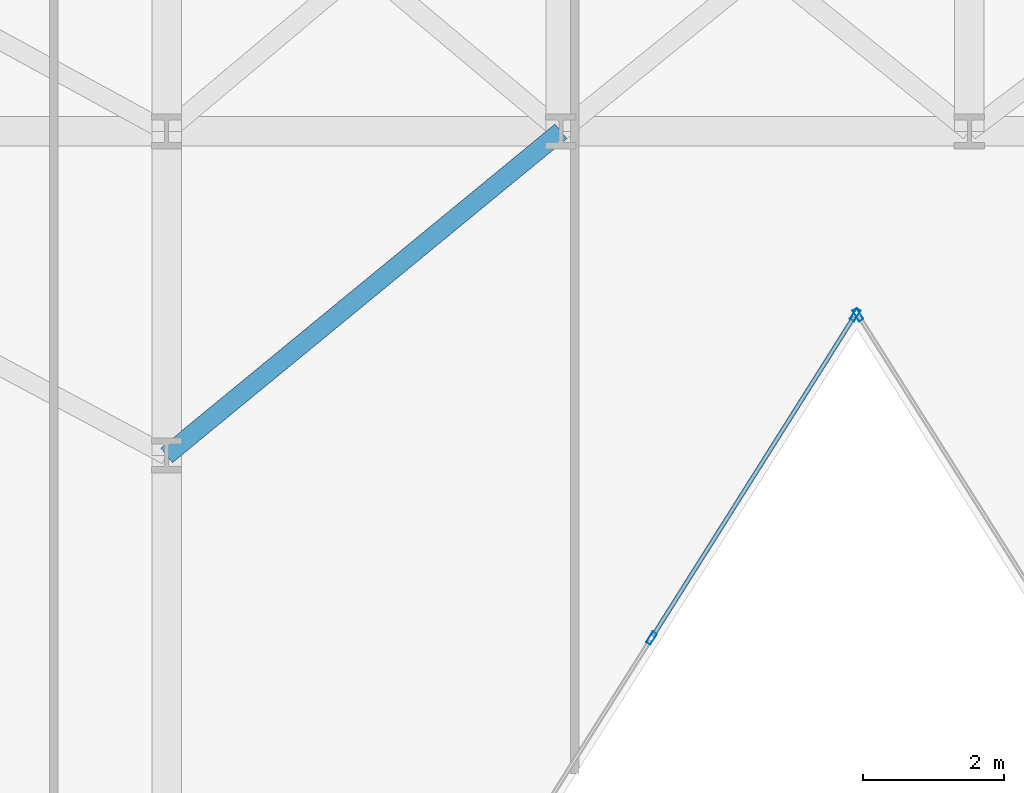
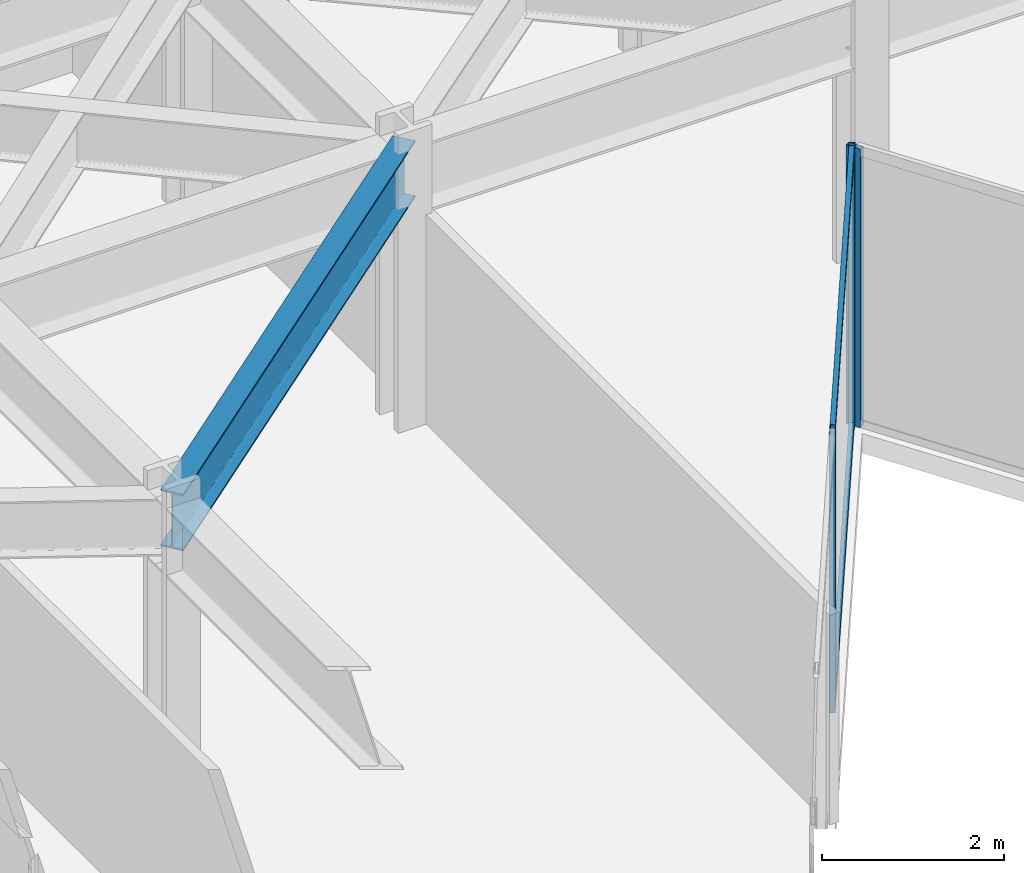
# One storey, part 10 of 25: 5 members, 1 beam, 2 elements without a shape of their own.
"""IFC4 building model written with IfcOpenShell, lengths in metres."""

from ifc_helpers import new_model, si_unit, direction, frame, origin, origin_2d, place, context, subcontext, project, spatial, hollow_rectangle, i_section, extrude, material, layer, layer_set, material_profile, profile_set, type_object, element, aggregate, save


model = new_model("IFC4")

# Units and contexts
model_context = context("Model", 3, precision=1e-05, world=origin(), true_north=direction((0.0, 1.0)))
body_context = subcontext(model_context, "Body", "Model", "MODEL_VIEW")
ifc_project = project(units=[si_unit("LENGTHUNIT", "METRE"), si_unit("AREAUNIT", "SQUARE_METRE"), si_unit("VOLUMEUNIT", "CUBIC_METRE"), si_unit("PLANEANGLEUNIT", "RADIAN"), si_unit("MASSUNIT", "GRAM", prefix="KILO")], contexts=[model_context])

# Site, building, storey
site_placement = place(None, origin())
site = spatial("IfcSite", under=ifc_project, at=site_placement, CompositionType="ELEMENT")
building_placement = place(site_placement, origin())
building = spatial("IfcBuilding", under=site, at=building_placement, Name="Kravanh Interchange Tower", CompositionType="ELEMENT")
storey_placement = place(building_placement, frame((0.0, 0.0, 65.5)))
storey = spatial("IfcBuildingStorey", under=building, at=storey_placement, Name="L15", CompositionType="ELEMENT", Elevation=65.5)

# Curtain wall, member
ifc_material_1 = material(Name="Anodised Bronze Aluminium", Category="aluminium")
ifc_layer = layer(ifc_material_1, 0.179931640625)
ifc_layer_set = layer_set([ifc_layer], Name="Unitised Curtain Wall System CW-Z1 Lower Office")
curtain_wall_type = type_object("IfcCurtainWallType", Name="Unitised Curtain Wall System CW-Z1 Lower Office", PredefinedType="NOTDEFINED", material=ifc_layer_set)
curtain_wall_1_placement = place(storey_placement, origin())
curtain_wall_1 = element("IfcCurtainWall", 1, at=curtain_wall_1_placement, inside=storey, type_object=curtain_wall_type, Name="L15 Unitised Curtain Wall CW-L15-04", PredefinedType="NOTDEFINED")
ifc_material_2 = material(Name="Anodised Bronze Aluminium", Category="aluminium")
ifc_material_profile_1 = material_profile(ifc_material_2, hollow_rectangle(XDim=0.070068359375, YDim=0.179931640625, WallThickness=0.00390625, at=origin_2d()), Name="ALU70X180X4")
ifc_profile_set_1 = profile_set([ifc_material_profile_1], Name="Anodised Bronze Aluminium")
member_type_1 = type_object("IfcMemberType", Name="Curtain Wall Mullion ALU70X180X4 Bronze", PredefinedType="MULLION", material=ifc_profile_set_1)
member_1_placement = place(storey_placement, frame((37.0185546875, 24.1953125, 0.0), z_axis=(0.0, 0.0, 1.0), x_axis=(-0.845925530786, -0.53330103728, 0.0)))
member_1 = element("IfcMember", 2, at=member_1_placement, type_object=member_type_1, Name="CW-Z1 mullion 6", PredefinedType="MULLION", context=body_context, shape_type="SweptSolid", body=[
    extrude(hollow_rectangle(XDim=0.070068359375, YDim=0.179931640625, WallThickness=0.00390625, at=origin_2d()), origin(), (0.0, 0.0, 1.0), 3.739990234375),
])
aggregate(curtain_wall_1, [member_1])

# Curtain wall, members
curtain_wall_2_placement = place(storey_placement, origin())
curtain_wall_2 = element("IfcCurtainWall", 3, at=curtain_wall_2_placement, inside=storey, type_object=curtain_wall_type, Name="L15 Unitised Curtain Wall CW-L15-05", PredefinedType="NOTDEFINED")
member_2_placement = place(storey_placement, frame((36.9814453125, 24.1953125, 0.0), z_axis=(0.0, 0.0, 1.0), x_axis=(0.845925530786, -0.53330103728, 0.0)))
member_2 = element("IfcMember", 4, at=member_2_placement, type_object=member_type_1, Name="CW-Z1 mullion 1", PredefinedType="MULLION", context=body_context, shape_type="SweptSolid", body=[
    extrude(hollow_rectangle(XDim=0.070068359375, YDim=0.179931640625, WallThickness=0.00390625, at=origin_2d()), origin(), (0.0, 0.0, 1.0), 3.739990234375),
])
member_3_placement = place(storey_placement, frame((34.086669921875, 19.60400390625, 0.0), z_axis=(0.0, 0.0, 1.0), x_axis=(0.845925530786, -0.53330103728, 0.0)))
member_3 = element("IfcMember", 5, at=member_3_placement, type_object=member_type_1, Name="CW-Z1 mullion 2", PredefinedType="MULLION", context=body_context, shape_type="SweptSolid", body=[
    extrude(hollow_rectangle(XDim=0.070068359375, YDim=0.179931640625, WallThickness=0.00390625, at=origin_2d()), origin(), (0.0, 0.0, 1.0), 3.739990234375),
])
ifc_material_3 = material(Name="Anodised Bronze Aluminium", Category="aluminium")
ifc_material_profile_2 = material_profile(ifc_material_3, hollow_rectangle(XDim=0.06005859375, YDim=0.139892578125, WallThickness=0.00390625, at=origin_2d()), Name="ALU60X140X4")
ifc_profile_set_2 = profile_set([ifc_material_profile_2], Name="Anodised Bronze Aluminium")
member_type_2 = type_object("IfcMemberType", Name="Curtain Wall Transom ALU60X140X4 Bronze", PredefinedType="USERDEFINED", material=ifc_profile_set_2)
member_4_placement = place(storey_placement, frame((36.962646484375, 24.165771484375, 0.030029296875), z_axis=(-0.533288163518, -0.845933646719, 0.0), x_axis=(0.845933646719, -0.533288163518, 0.0)))
member_4 = element("IfcMember", 6, at=member_4_placement, type_object=member_type_2, Name="CW-Z1 transom 1.1", ObjectType="TRANSOM", PredefinedType="USERDEFINED", context=body_context, shape_type="SweptSolid", body=[
    extrude(hollow_rectangle(XDim=0.06005859375, YDim=0.139892578125, WallThickness=0.00390625, at=origin_2d()), origin(), (0.0, 0.0, 1.0), 5.357666015625),
])
member_5_placement = place(storey_placement, frame((36.962646484375, 24.165771484375, 3.7099609375), z_axis=(-0.533288163518, -0.845933646719, 0.0), x_axis=(0.845933646719, -0.533288163518, 0.0)))
member_5 = element("IfcMember", 7, at=member_5_placement, type_object=member_type_2, Name="CW-Z1 transom 1.2", ObjectType="TRANSOM", PredefinedType="USERDEFINED", context=body_context, shape_type="SweptSolid", body=[
    extrude(hollow_rectangle(XDim=0.06005859375, YDim=0.139892578125, WallThickness=0.00390625, at=origin_2d()), origin(), (0.0, 0.0, 1.0), 5.357666015625),
])
aggregate(curtain_wall_2, [member_2, member_3, member_4, member_5])

# Beam
ifc_material_4 = material(Name="Structural Steel S355", Category="steel")
ifc_material_profile_3 = material_profile(ifc_material_4, i_section(OverallWidth=0.26708984375, OverallDepth=0.761962890625, WebThickness=0.014404296875, FlangeThickness=0.021484375, FilletRadius=0.02490234375, at=origin_2d()), Name="W30X116")
ifc_profile_set_3 = profile_set([ifc_material_profile_3], Name="Structural Steel S355")
beam_type = type_object("IfcBeamType", Name="Floor Spandrel W30X116 Structural Steel S355", PredefinedType="SPANDREL", material=ifc_profile_set_3)
beam_placement = place(storey_placement, frame((27.199951171875, 22.199951171875, 3.35888671875), z_axis=(0.772725074305, 0.634740860147, 0.0), x_axis=(-0.634740860147, 0.772725074305, 0.0)))
element("IfcBeam", 8, at=beam_placement, inside=storey, type_object=beam_type, Name="L15 Perimeter Spandrel 55", PredefinedType="SPANDREL", context=body_context, shape_type="SweptSolid", body=[
    extrude(i_section(OverallWidth=0.26708984375, OverallDepth=0.761962890625, WebThickness=0.014404296875, FlangeThickness=0.021484375, FilletRadius=0.02490234375, at=origin_2d()), origin(), (0.0, 0.0, 1.0), 7.247314453125),
])

save(model, "model.ifc")
